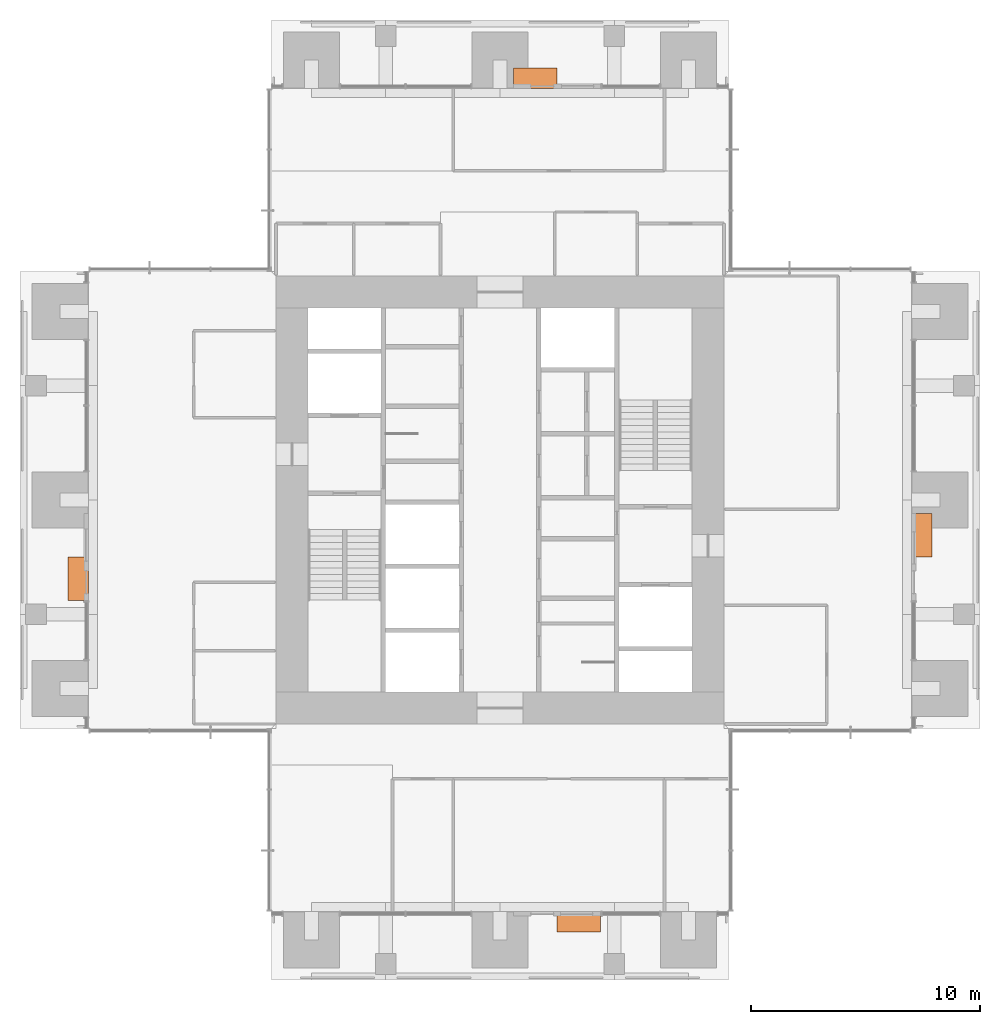
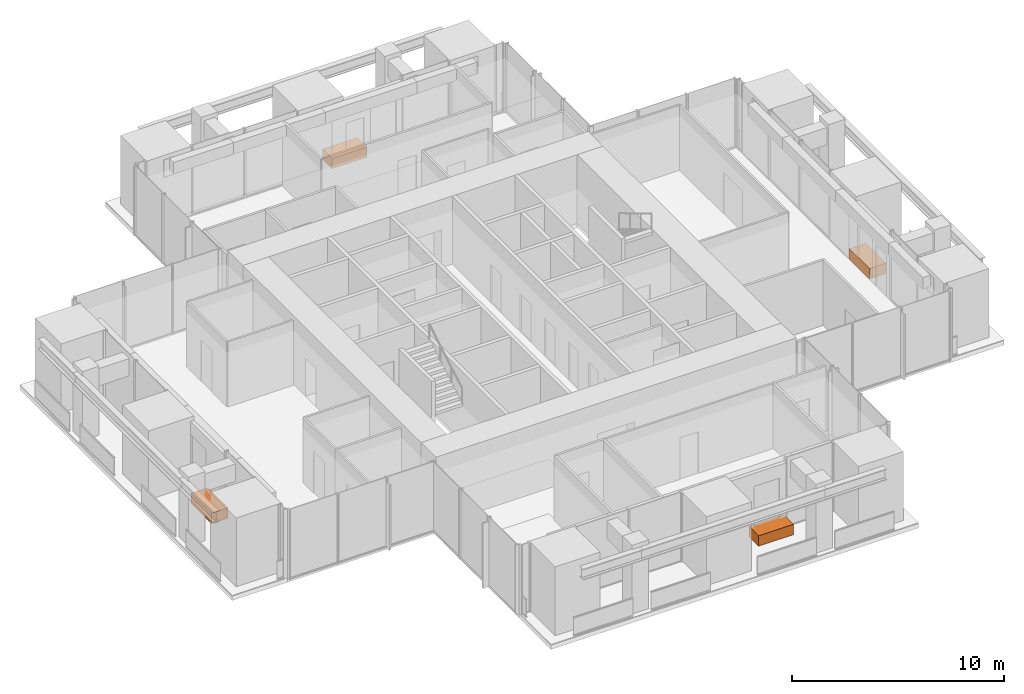
# One storey, part 17 of 17: 4 proxies.
"""IFC4 building model written with IfcOpenShell, lengths in metres."""

from ifc_helpers import new_model, si_unit, direction, frame, origin, origin_2d, place, context, subcontext, project, spatial, rectangle, extrude, element, save


model = new_model("IFC4")

# Units and contexts
model_context = context("Model", 3, precision=1e-05, world=origin(), true_north=direction((0.0, 1.0)))
body_context = subcontext(model_context, "Body", "Model", "MODEL_VIEW")
ifc_project = project(units=[si_unit("LENGTHUNIT", "METRE"), si_unit("AREAUNIT", "SQUARE_METRE"), si_unit("VOLUMEUNIT", "CUBIC_METRE"), si_unit("PLANEANGLEUNIT", "RADIAN"), si_unit("MASSUNIT", "GRAM", prefix="KILO")], contexts=[model_context])

# Site, building, storey
site_placement = place(None, origin())
site = spatial("IfcSite", under=ifc_project, at=site_placement, CompositionType="ELEMENT")
building_placement = place(site_placement, origin())
building = spatial("IfcBuilding", under=site, at=building_placement, Name="Svetlomir Tower", CompositionType="ELEMENT")
storey_placement = place(building_placement, frame((0.0, 0.0, 218.5)))
storey = spatial("IfcBuildingStorey", under=building, at=storey_placement, Name="L52", CompositionType="ELEMENT", Elevation=218.5)

# Proxies
proxy_1_placement = place(storey_placement, frame((24.449951171875, 2.550048828125, 0.0400390625), z_axis=(0.0, 0.0, 1.0), x_axis=(1.0, 0.0, 0.0)))
element("IfcBuildingElementProxy", 1, at=proxy_1_placement, inside=storey, Name="Tree planter S L52", ObjectType="PLANTER", PredefinedType="USERDEFINED", context=body_context, shape_type="SweptSolid", body=[
    extrude(rectangle(XDim=1.89990234375, YDim=0.89990234375, at=origin_2d()), origin(), (0.0, 0.0, 1.0), 0.60009765625),
])
proxy_2_placement = place(storey_placement, frame((39.449951171875, 19.449951171875, 0.0400390625), z_axis=(0.0, 0.0, 1.0), x_axis=(1.0, 0.0, 0.0)))
element("IfcBuildingElementProxy", 2, at=proxy_2_placement, inside=storey, Name="Tree planter E L52", ObjectType="PLANTER", PredefinedType="USERDEFINED", context=body_context, shape_type="SweptSolid", body=[
    extrude(rectangle(XDim=0.89990234375, YDim=1.89990234375, at=origin_2d()), origin(), (0.0, 0.0, 1.0), 0.60009765625),
])
proxy_3_placement = place(storey_placement, frame((22.550048828125, 39.449951171875, 0.0400390625), z_axis=(0.0, 0.0, 1.0), x_axis=(1.0, 0.0, 0.0)))
element("IfcBuildingElementProxy", 3, at=proxy_3_placement, inside=storey, Name="Tree planter N L52", ObjectType="PLANTER", PredefinedType="USERDEFINED", context=body_context, shape_type="SweptSolid", body=[
    extrude(rectangle(XDim=1.89990234375, YDim=0.89990234375, at=origin_2d()), origin(), (0.0, 0.0, 1.0), 0.60009765625),
])
proxy_4_placement = place(storey_placement, frame((2.550048828125, 17.550048828125, 0.0400390625), z_axis=(0.0, 0.0, 1.0), x_axis=(1.0, 0.0, 0.0)))
element("IfcBuildingElementProxy", 4, at=proxy_4_placement, inside=storey, Name="Tree planter W L52", ObjectType="PLANTER", PredefinedType="USERDEFINED", context=body_context, shape_type="SweptSolid", body=[
    extrude(rectangle(XDim=0.89990234375, YDim=1.89990234375, at=origin_2d()), origin(), (0.0, 0.0, 1.0), 0.60009765625),
])

save(model, "model.ifc")
